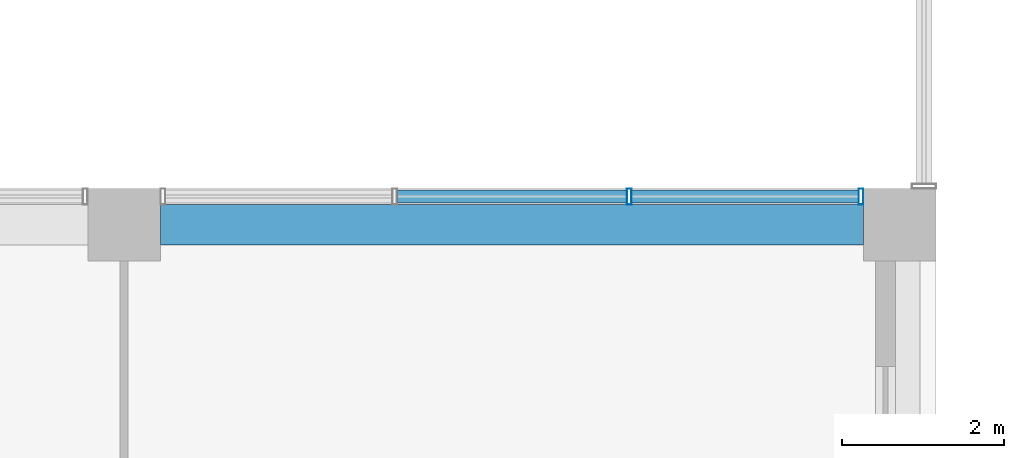
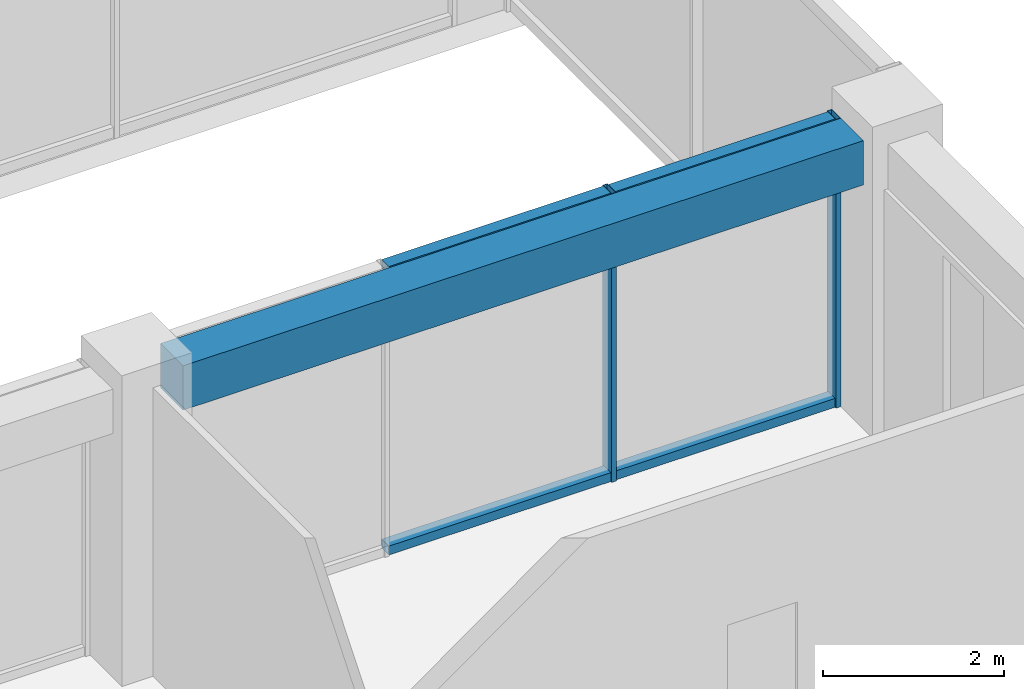
# One storey, part 17 of 36: 6 members, 1 beam, 1 element without a shape of its own.
"""IFC4 building model written with IfcOpenShell, lengths in metres."""

import ifcopenshell
import ifcopenshell.guid

model = None  # the IFC model being written
_history = None  # IfcOwnerHistory: only IFC2X3 demands one
_inside = {}  # id of a spatial element -> (the spatial element, [elements in it])
_under = {}  # id of a project, library or spatial element -> (it, [spatial elements below it])
_declared = {}  # id of a project -> (the project, [libraries it declares])
_typed = {}  # id of a type object -> (the type object, [elements of that type])
_made_of = {}  # id of a material, layer set ... -> (it, [elements and type objects made of it])


def new_model(schema):
    """Start an empty IFC model of exactly this schema.

    Asked for "IFC4X3", IfcOpenShell would pick the latest addendum, in which some entities
    have other attributes; the version numbers below select the first issue.
    IFC2X3 requires an IfcOwnerHistory on every rooted entity: one is made here for all.
    """
    global model, _history
    if schema == "IFC4X3":
        model = ifcopenshell.file(schema_version=(4, 3, 0, 0))
    else:
        model = ifcopenshell.file(schema=schema)
    _inside.clear()
    _under.clear()
    _declared.clear()
    _typed.clear()
    _made_of.clear()
    _history = None
    if model.schema == "IFC2X3":
        org = make("IfcOrganization", Name="unknown")
        user = make(
            "IfcPersonAndOrganization",
            ThePerson=make("IfcPerson", FamilyName="unknown"),
            TheOrganization=org,
        )
        app = make(
            "IfcApplication",
            ApplicationDeveloper=org,
            Version="unknown",
            ApplicationFullName="unknown",
            ApplicationIdentifier="unknown",
        )
        _history = make(
            "IfcOwnerHistory",
            OwningUser=user,
            OwningApplication=app,
            ChangeAction="ADDED",
            CreationDate=0,
        )
    return model


def make(cls, **values):
    """One entity of the class cls with the attributes given. An attribute that is None is left unset."""
    return model.create_entity(
        cls, **{name: value for name, value in values.items() if value is not None}
    )


def rooted(cls, **values):
    """An entity with a GlobalId (a new one), such as an element, a storey or a relation."""
    return make(cls, GlobalId=ifcopenshell.guid.new(), OwnerHistory=_history, **values)


def si_unit(unit_type, name, prefix=None):
    """IfcSIUnit, for example si_unit("LENGTHUNIT", "METRE", prefix="MILLI")."""
    return make("IfcSIUnit", UnitType=unit_type, Prefix=prefix, Name=name)


def assignment(units):
    """IfcUnitAssignment: the units of a project."""
    return None if units is None else make("IfcUnitAssignment", Units=units)


def point(xyz):
    """IfcCartesianPoint."""
    return None if xyz is None else make("IfcCartesianPoint", Coordinates=xyz)


def direction(xyz):
    """IfcDirection."""
    return None if xyz is None else make("IfcDirection", DirectionRatios=xyz)


def frame(location, z_axis=None, x_axis=None):
    """IfcAxis2Placement3D, a coordinate frame: its origin and axes. An axis left out is left unset."""
    return make(
        "IfcAxis2Placement3D",
        Location=point(location),
        Axis=direction(z_axis),
        RefDirection=direction(x_axis),
    )


def frame_2d(location, x_axis=None):
    """IfcAxis2Placement2D, a coordinate frame in the plane: its origin and x axis."""
    return make(
        "IfcAxis2Placement2D", Location=point(location), RefDirection=direction(x_axis)
    )


def origin():
    """The frame at (0, 0, 0) with its axes left unset."""
    return frame((0.0, 0.0, 0.0))


def origin_2d():
    """The frame at (0, 0) in the plane with its x axis left unset."""
    return frame_2d((0.0, 0.0))


def place(relative_to, where):
    """IfcLocalPlacement: puts the frame where relative to a parent placement (None: the world)."""
    return make(
        "IfcLocalPlacement", PlacementRelTo=relative_to, RelativePlacement=where
    )


def context(
    kind, dimensions, precision=None, world=None, true_north=None, identifier=None
):
    """IfcGeometricRepresentationContext, for example the 3D "Model" context."""
    return make(
        "IfcGeometricRepresentationContext",
        ContextIdentifier=identifier,
        ContextType=kind,
        CoordinateSpaceDimension=dimensions,
        Precision=precision,
        WorldCoordinateSystem=world,
        TrueNorth=true_north,
    )


def subcontext(parent, identifier, kind, view, scale=None):
    """IfcGeometricRepresentationSubContext, for example "Body" below "Model"."""
    return make(
        "IfcGeometricRepresentationSubContext",
        ContextIdentifier=identifier,
        ContextType=kind,
        ParentContext=parent,
        TargetScale=scale,
        TargetView=view,
    )


def project(units=None, contexts=None):
    """IfcProject with its units and contexts."""
    return rooted(
        "IfcProject",
        Name="project",
        RepresentationContexts=contexts,
        UnitsInContext=assignment(units),
    )


def spatial(cls, under=None, at=None, **own):
    """A site, building, storey or space (cls), placed at a placement, below another one or the project."""
    s = rooted(cls, ObjectPlacement=at, **own)
    if under is not None:
        _under.setdefault(under.id(), (under, []))[1].append(s)
    return s


def profile(cls, at=None, kind="AREA", **sizes):
    """A parametric profile (cls). Its sizes go by their IFC names, for example OverallWidth=200.0."""
    return make(cls, ProfileType=kind, Position=at, **sizes)


def rectangle(**sizes):
    """IfcRectangleProfileDef."""
    return profile("IfcRectangleProfileDef", **sizes)


def hollow_rectangle(**sizes):
    """IfcRectangleHollowProfileDef."""
    return profile("IfcRectangleHollowProfileDef", **sizes)


def extrude(swept, where, along, depth):
    """IfcExtrudedAreaSolid: the profile swept, set in the frame where, extruded along a direction by depth."""
    return make(
        "IfcExtrudedAreaSolid",
        SweptArea=swept,
        Position=where,
        ExtrudedDirection=direction(along),
        Depth=depth,
    )


def shape(context_of_items, identifier, shape_type, items):
    """IfcShapeRepresentation: the items that make up one representation, for example the "Body"."""
    return make(
        "IfcShapeRepresentation",
        ContextOfItems=context_of_items,
        RepresentationIdentifier=identifier,
        RepresentationType=shape_type,
        Items=items,
    )


def material(Name=None, Category=None):
    """IfcMaterial."""
    return make("IfcMaterial", Name=Name, Category=Category)


def layer(
    of_material, thickness, ventilated=None, Name=None, Category=None, Priority=None
):
    """IfcMaterialLayer: one layer of a wall or slab, of a material (None: an air gap)."""
    return make(
        "IfcMaterialLayer",
        Material=of_material,
        LayerThickness=thickness,
        IsVentilated=ventilated,
        Name=Name,
        Category=Category,
        Priority=Priority,
    )


def layer_set(layers, Name=None):
    """IfcMaterialLayerSet."""
    return make("IfcMaterialLayerSet", MaterialLayers=layers, LayerSetName=Name)


def material_profile(
    of_material, cross_section, Name=None, Category=None, Priority=None
):
    """IfcMaterialProfile: a cross section and its material."""
    return make(
        "IfcMaterialProfile",
        Name=Name,
        Material=of_material,
        Profile=cross_section,
        Priority=Priority,
        Category=Category,
    )


def profile_set(profiles, Name=None, composite=None):
    """IfcMaterialProfileSet."""
    return make(
        "IfcMaterialProfileSet",
        Name=Name,
        MaterialProfiles=profiles,
        CompositeProfile=composite,
    )


def made_of(thing, what):
    """Note that an element or type object is made of a material, layer set ...; save() writes the relation."""
    if what is not None:
        _made_of.setdefault(what.id(), (what, []))[1].append(thing)
    return thing


def type_object(cls, material=None, **own):
    """A type object (cls), such as IfcWallType, which elements share."""
    return made_of(rooted(cls, **own), material)


def element(
    cls,
    number,
    at=None,
    inside=None,
    cuts=None,
    type_object=None,
    material=None,
    context=None,
    identifier="Body",
    shape_type=None,
    held_by="IfcProductDefinitionShape",
    body=None,
    shapes=None,
    **own,
):
    """One element of the class cls, such as IfcWall. Its Tag is "e" and its number.

    at: its placement. inside: the storey or other place that contains it. cuts: it is an
    opening in that element (IfcRelVoidsElement). A single representation is given by context,
    identifier, shape_type and body (its items); several are given by shapes. held_by: the class
    of the entity that holds the representations. save() writes the other relations.
    """
    e = rooted(cls, Tag="e%d" % number, ObjectPlacement=at, **own)
    if body is not None:
        shapes = [shape(context, identifier, shape_type, body)]
    if shapes is not None:
        e.Representation = make(held_by, Representations=shapes)
    if inside is not None:
        _inside.setdefault(inside.id(), (inside, []))[1].append(e)
    if cuts is not None:
        rooted(
            "IfcRelVoidsElement", RelatingBuildingElement=cuts, RelatedOpeningElement=e
        )
    if type_object is not None:
        _typed.setdefault(type_object.id(), (type_object, []))[1].append(e)
    return made_of(e, material)


def aggregate(whole, parts):
    """IfcRelAggregates: a whole, such as a stair, and the parts it consists of."""
    return rooted("IfcRelAggregates", RelatingObject=whole, RelatedObjects=parts)


def save(model, path):
    """Write the relations noted so far, then the file.

    IfcRelAggregates (storeys below a building ...), IfcRelContainedInSpatialStructure (elements
    in a storey), IfcRelDefinesByType, IfcRelAssociatesMaterial and IfcRelDeclares: one each for
    every whole, place, type object, material and project.
    """
    for whole, parts in _under.values():
        aggregate(whole, parts)
    for where, things in _inside.values():
        rooted(
            "IfcRelContainedInSpatialStructure",
            RelatedElements=things,
            RelatingStructure=where,
        )
    for kind, things in _typed.values():
        rooted("IfcRelDefinesByType", RelatedObjects=things, RelatingType=kind)
    for what, things in _made_of.values():
        rooted("IfcRelAssociatesMaterial", RelatedObjects=things, RelatingMaterial=what)
    for by, libraries in _declared.values():
        rooted("IfcRelDeclares", RelatingContext=by, RelatedDefinitions=libraries)
    model.write(path)


model = new_model("IFC4")

# Units and contexts
model_context = context("Model", 3, precision=1e-05, world=origin(), true_north=direction((0.0, 1.0)))
body_context = subcontext(model_context, "Body", "Model", "MODEL_VIEW")
ifc_project = project(units=[si_unit("LENGTHUNIT", "METRE"), si_unit("AREAUNIT", "SQUARE_METRE"), si_unit("VOLUMEUNIT", "CUBIC_METRE"), si_unit("PLANEANGLEUNIT", "RADIAN"), si_unit("MASSUNIT", "GRAM", prefix="KILO")], contexts=[model_context])

# Site, building, storey
site_placement = place(None, origin())
site = spatial("IfcSite", under=ifc_project, at=site_placement, CompositionType="ELEMENT")
building_placement = place(site_placement, origin())
building = spatial("IfcBuilding", under=site, at=building_placement, Name="Nzadi Deep Aquarium and Research Tower", CompositionType="ELEMENT")
storey_placement = place(building_placement, frame((0.0, 0.0, 40.300048828125)))
storey = spatial("IfcBuildingStorey", under=building, at=storey_placement, Name="L07", CompositionType="ELEMENT", Elevation=40.300048828125)

# Curtain wall, members
ifc_material_1 = material(Name="Aluminium unitised frame", Category="aluminium")
ifc_layer = layer(ifc_material_1, 0.199951171875)
ifc_layer_set = layer_set([ifc_layer], Name="Aluminium unitised frame")
curtain_wall_type = type_object("IfcCurtainWallType", Name="Curtain wall Unitised 200", PredefinedType="NOTDEFINED", material=ifc_layer_set)
curtain_wall_placement = place(storey_placement, origin())
curtain_wall = element("IfcCurtainWall", 1, at=curtain_wall_placement, inside=storey, type_object=curtain_wall_type, Name="Unitised curtain wall blade A north L07", PredefinedType="NOTDEFINED")
ifc_material_2 = material(Name="Aluminium unitised frame", Category="aluminium")
ifc_material_profile_1 = material_profile(ifc_material_2, hollow_rectangle(XDim=0.199951171875, YDim=0.06005859375, WallThickness=0.0048828125, at=origin_2d()))
ifc_profile_set_1 = profile_set([ifc_material_profile_1], Name="Aluminium unitised frame")
member_type_1 = type_object("IfcMemberType", Name="Mullion 60x200 Unitised", PredefinedType="MULLION", material=ifc_profile_set_1)
member_1_placement = place(storey_placement, frame((44.64990234375, 18.75, 0.0), z_axis=(0.0, 0.0, 1.0), x_axis=(0.0, 1.0, 0.0)))
member_1 = element("IfcMember", 2, at=member_1_placement, type_object=member_type_1, Name="CW021 mullion 3", PredefinedType="MULLION", context=body_context, shape_type="SweptSolid", body=[
    extrude(hollow_rectangle(XDim=0.199951171875, YDim=0.06005859375, WallThickness=0.0048828125, at=origin_2d()), origin(), (0.0, 0.0, 1.0), 3.89990234375),
])
member_2_placement = place(storey_placement, frame((47.52001953125, 18.75, 0.0), z_axis=(0.0, 0.0, 1.0), x_axis=(0.0, 1.0, 0.0)))
member_2 = element("IfcMember", 3, at=member_2_placement, type_object=member_type_1, Name="CW021 mullion 4", PredefinedType="MULLION", context=body_context, shape_type="SweptSolid", body=[
    extrude(hollow_rectangle(XDim=0.199951171875, YDim=0.06005859375, WallThickness=0.0048828125, at=origin_2d()), origin(), (0.0, 0.0, 1.0), 3.89990234375),
])

# Beam
ifc_material_3 = material(Name="Concrete C35/45", Category="concrete")
ifc_material_profile_2 = material_profile(ifc_material_3, rectangle(XDim=0.5, YDim=0.60009765625, at=origin_2d()))
ifc_profile_set_2 = profile_set([ifc_material_profile_2], Name="Concrete C35/45")
beam_type = type_object("IfcBeamType", Name="RC 500x600", PredefinedType="BEAM", material=ifc_profile_set_2)
beam_placement = place(storey_placement, frame((38.85009765625, 18.39990234375, 3.599853515625), z_axis=(1.0, 0.0, 0.0), x_axis=(0.0, 1.0, 0.0)))
element("IfcBeam", 4, at=beam_placement, inside=storey, type_object=beam_type, Name="B-Z1-L07-L3-5", PredefinedType="BEAM", context=body_context, shape_type="SweptSolid", body=[
    extrude(rectangle(XDim=0.5, YDim=0.60009765625, at=origin_2d()), origin(), (0.0, 0.0, 1.0), 8.699951171875),
])

# Member
ifc_material_4 = material(Name="Aluminium unitised frame", Category="aluminium")
ifc_material_profile_3 = material_profile(ifc_material_4, hollow_rectangle(XDim=0.159912109375, YDim=0.1201171875, WallThickness=0.0048828125, at=origin_2d()))
ifc_profile_set_3 = profile_set([ifc_material_profile_3], Name="Aluminium unitised frame")
member_type_2 = type_object("IfcMemberType", Name="Transom 120x160 Unitised", PredefinedType="MULLION", material=ifc_profile_set_3)
member_3_placement = place(storey_placement, frame((41.780029296875, 18.75, 0.06005859375), z_axis=(1.0, 0.0, 0.0), x_axis=(0.0, 1.0, 0.0)))
member_3 = element("IfcMember", 5, at=member_3_placement, type_object=member_type_2, Name="CW021 transom 2.1", PredefinedType="MULLION", context=body_context, shape_type="SweptSolid", body=[
    extrude(hollow_rectangle(XDim=0.159912109375, YDim=0.1201171875, WallThickness=0.0048828125, at=origin_2d()), origin(), (0.0, 0.0, 1.0), 2.840087890625),
])

member_4_placement = place(storey_placement, frame((41.780029296875, 18.75, 3.83984375), z_axis=(1.0, 0.0, 0.0), x_axis=(0.0, 1.0, 0.0)))
member_4 = element("IfcMember", 6, at=member_4_placement, type_object=member_type_2, Name="CW021 transom 2.2", PredefinedType="MULLION", context=body_context, shape_type="SweptSolid", body=[
    extrude(hollow_rectangle(XDim=0.159912109375, YDim=0.1201171875, WallThickness=0.0048828125, at=origin_2d()), origin(), (0.0, 0.0, 1.0), 2.840087890625),
])

member_5_placement = place(storey_placement, frame((44.679931640625, 18.75, 0.06005859375), z_axis=(1.0, 0.0, 0.0), x_axis=(0.0, 1.0, 0.0)))
member_5 = element("IfcMember", 7, at=member_5_placement, type_object=member_type_2, Name="CW021 transom 3.1", PredefinedType="MULLION", context=body_context, shape_type="SweptSolid", body=[
    extrude(hollow_rectangle(XDim=0.159912109375, YDim=0.1201171875, WallThickness=0.0048828125, at=origin_2d()), origin(), (0.0, 0.0, 1.0), 2.81005859375),
])

member_6_placement = place(storey_placement, frame((44.679931640625, 18.75, 3.83984375), z_axis=(1.0, 0.0, 0.0), x_axis=(0.0, 1.0, 0.0)))
member_6 = element("IfcMember", 8, at=member_6_placement, type_object=member_type_2, Name="CW021 transom 3.2", PredefinedType="MULLION", context=body_context, shape_type="SweptSolid", body=[
    extrude(hollow_rectangle(XDim=0.159912109375, YDim=0.1201171875, WallThickness=0.0048828125, at=origin_2d()), origin(), (0.0, 0.0, 1.0), 2.81005859375),
])

aggregate(curtain_wall, [member_1, member_2, member_3, member_4, member_5, member_6])

save(model, "model.ifc")
